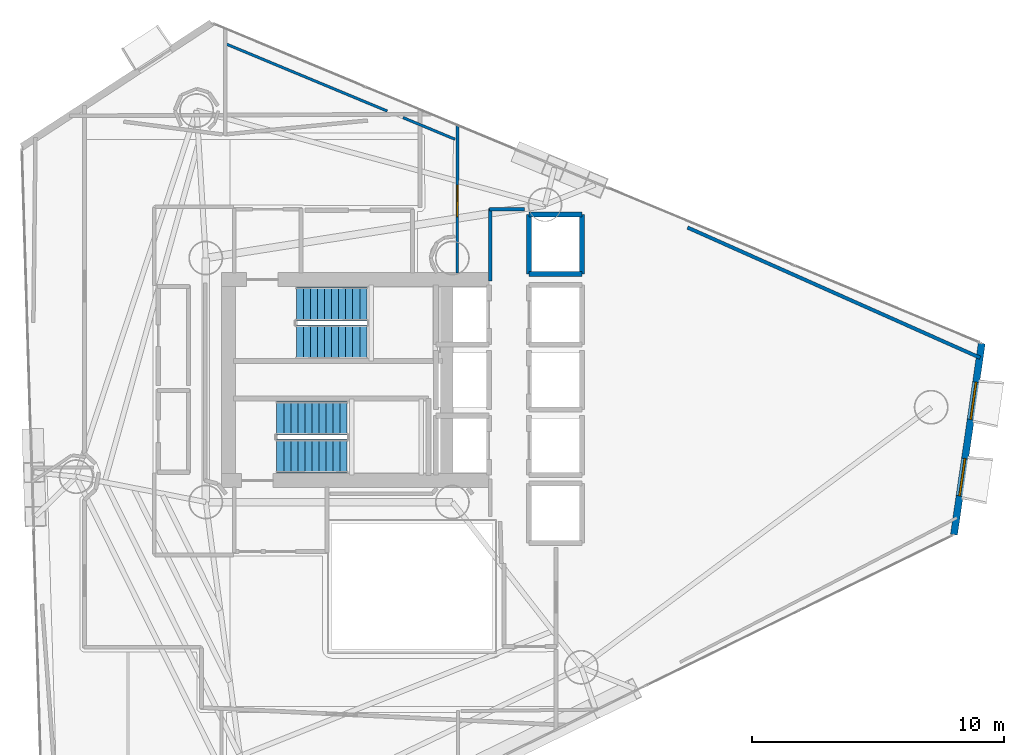
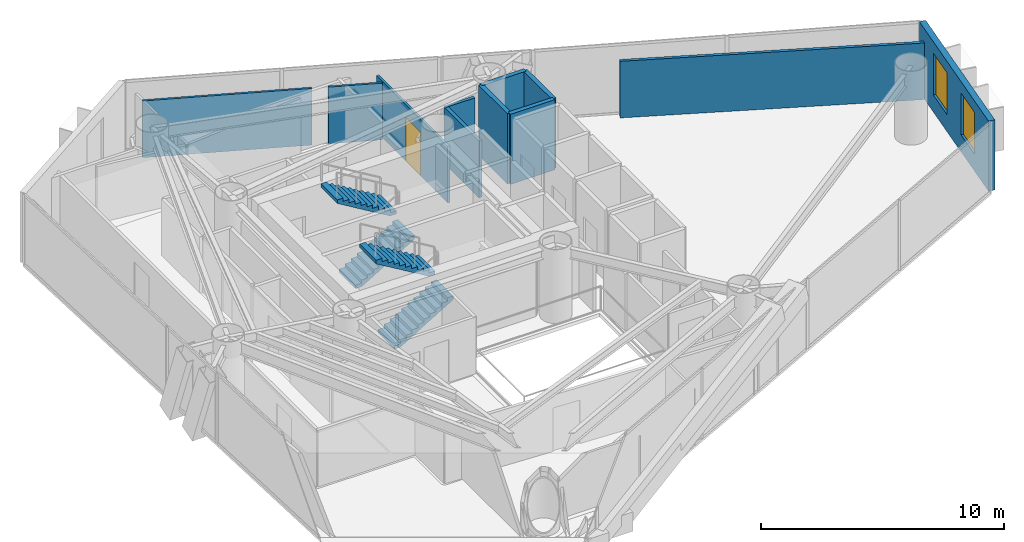
# One storey, part 20 of 22: 11 walls, 4 stair flights, 2 windows, 1 door, 3 openings, 2 elements without a shape of their own.
"""IFC4 building model written with IfcOpenShell, lengths in metres."""

from ifc_helpers import new_model, si_unit, direction, frame, frame_2d, origin, place, context, subcontext, project, spatial, polyline, rectangle, outline, extrude, material, layer, layer_set, type_object, element, fill, aggregate, save


model = new_model("IFC4")

# Units and contexts
model_context = context("Model", 3, precision=1e-05, world=origin(), true_north=direction((0.0, 1.0)))
body_context = subcontext(model_context, "Body", "Model", "MODEL_VIEW")
ifc_project = project(units=[si_unit("LENGTHUNIT", "METRE"), si_unit("AREAUNIT", "SQUARE_METRE"), si_unit("VOLUMEUNIT", "CUBIC_METRE"), si_unit("PLANEANGLEUNIT", "RADIAN"), si_unit("MASSUNIT", "GRAM", prefix="KILO")], contexts=[model_context])

# Site, building, storey
site_placement = place(None, origin())
site = spatial("IfcSite", under=ifc_project, at=site_placement, CompositionType="ELEMENT")
building_placement = place(site_placement, origin())
building = spatial("IfcBuilding", under=site, at=building_placement, Name="Qianvela Tower", CompositionType="ELEMENT")
storey_placement = place(building_placement, frame((0.0, 0.0, 155.0)))
storey = spatial("IfcBuildingStorey", under=building, at=storey_placement, Name="L39", CompositionType="ELEMENT", Elevation=155.0)

# Wall, openings, windows
ifc_material_1 = material(Name="Terracotta Cladding on Concrete C40", Category="masonry")
ifc_layer_1 = layer(ifc_material_1, 0.280029296875)
ifc_layer_set_1 = layer_set([ifc_layer_1], Name="Terracotta Cladding on Concrete C40")
wall_type_1 = type_object("IfcWallType", Name="TERRACOTTA-WALL-280", PredefinedType="SOLIDWALL", material=ifc_layer_set_1)
wall_1_placement = place(storey_placement, frame((58.3408203125, 22.55419921875, 0.0), z_axis=(0.0, 0.0, 1.0), x_axis=(0.143708360634, 0.989620082195, 0.0)))
wall_1 = element("IfcWall", 1, at=wall_1_placement, inside=storey, type_object=wall_type_1, Name="L39 Terracotta Chamfer Facet Wall 1", PredefinedType="SOLIDWALL", context=body_context, shape_type="SweptSolid", body=[
    extrude(rectangle(XDim=7.6806640625, YDim=0.280029296875, at=frame_2d((3.84033203125, 0.0))), origin(), (0.0, 0.0, 1.0), 3.52001953125),
])
opening_1_placement = place(wall_1_placement, frame((1.55419921875, 0.0, 0.85009765625)))
opening_1 = element("IfcOpeningElement", 2, at=opening_1_placement, cuts=wall_1, Name="Opening W-02", PredefinedType="OPENING", context=body_context, shape_type="SweptSolid", body=[
    extrude(rectangle(XDim=1.5, YDim=2.10009765625, at=frame_2d((0.75, 1.050048828125))), frame((0.0, 0.14990234375, 0.0), z_axis=(0.0, -1.0, 0.0), x_axis=(1.0, 0.0, 0.0)), (0.0, 0.0, 1.0), 0.300048828125),
])
opening_2_placement = place(wall_1_placement, frame((4.626220703125, 0.0, 0.85009765625)))
opening_2 = element("IfcOpeningElement", 3, at=opening_2_placement, cuts=wall_1, Name="Opening W-02", PredefinedType="OPENING", context=body_context, shape_type="SweptSolid", body=[
    extrude(rectangle(XDim=1.5, YDim=2.10009765625, at=frame_2d((0.75, 1.050048828125))), frame((0.0, 0.14990234375, 0.0), z_axis=(0.0, -1.0, 0.0), x_axis=(1.0, 0.0, 0.0)), (0.0, 0.0, 1.0), 0.300048828125),
])
ifc_material_2 = material(Name="Thermally Broken Aluminium and Low-E Glass", Category="aluminium")
window_type = type_object("IfcWindowType", Name="WIN-TC-1500x2100", PartitioningType="DOUBLE_PANEL_VERTICAL", PredefinedType="WINDOW", material=ifc_material_2)
window_1_placement = place(opening_1_placement, origin())
window_1 = element("IfcWindow", 4, at=window_1_placement, inside=storey, type_object=window_type, Name="L39 Chamfer Facet Window 1.1", OverallHeight=2.10009765625, OverallWidth=1.5, PartitioningType="SINGLE_PANEL", PredefinedType="WINDOW", context=body_context, shape_type="SweptSolid", body=[
    extrude(rectangle(XDim=1.5, YDim=2.10009765625, at=frame_2d((0.75, 1.050048828125))), frame((0.0, 0.030029296875, 0.0), z_axis=(0.0, -1.0, 0.0), x_axis=(1.0, 0.0, 0.0)), (0.0, 0.0, 1.0), 0.06005859375),
])
fill(opening_1, window_1)
window_2_placement = place(opening_2_placement, origin())
window_2 = element("IfcWindow", 5, at=window_2_placement, inside=storey, type_object=window_type, Name="L39 Chamfer Facet Window 1.2", OverallHeight=2.10009765625, OverallWidth=1.5, PartitioningType="SINGLE_PANEL", PredefinedType="WINDOW", context=body_context, shape_type="SweptSolid", body=[
    extrude(rectangle(XDim=1.5, YDim=2.10009765625, at=frame_2d((0.75, 1.050048828125))), frame((0.0, 0.030029296875, 0.0), z_axis=(0.0, -1.0, 0.0), x_axis=(1.0, 0.0, 0.0)), (0.0, 0.0, 1.0), 0.06005859375),
])
fill(opening_2, window_2)

# Walls
ifc_material_3 = material(Name="Fire-Rated Acoustic Gypsum Board")
ifc_layer_2 = layer(ifc_material_3, 0.14990234375)
ifc_layer_set_2 = layer_set([ifc_layer_2], Name="Fire-Rated Acoustic Gypsum Board")
wall_type_2 = type_object("IfcWallType", Name="WT-CORR-150", PredefinedType="PARTITIONING", material=ifc_layer_set_2)
wall_2_placement = place(storey_placement, frame((39.910888671875, 32.639892578125, 0.0), z_axis=(0.0, 0.0, 1.0), x_axis=(0.0, 1.0, 0.0)))
element("IfcWall", 6, at=wall_2_placement, inside=storey, type_object=wall_type_2, Name="L39 Partition 12", PredefinedType="PARTITIONING", context=body_context, shape_type="SweptSolid", body=[
    extrude(rectangle(XDim=2.880126953125, YDim=0.14990234375, at=frame_2d((1.43994140625, 0.0))), origin(), (0.0, 0.0, 1.0), 2.840087890625),
])
wall_3_placement = place(storey_placement, frame((39.8798828125, 35.489013671875, 0.0), z_axis=(0.0, 0.0, 1.0), x_axis=(1.0, 0.0, 0.0)))
element("IfcWall", 7, at=wall_3_placement, inside=storey, type_object=wall_type_2, Name="L39 Partition 13", PredefinedType="PARTITIONING", context=body_context, shape_type="SweptSolid", body=[
    extrude(rectangle(XDim=1.3828125, YDim=0.14990234375, at=frame_2d((0.69140625, 0.0))), origin(), (0.0, 0.0, 1.0), 2.840087890625),
])

# Wall, opening, door
ifc_material_4 = material(Name="Lightweight Gypsum Room Partition")
ifc_layer_3 = layer(ifc_material_4, 0.10498046875)
ifc_layer_set_3 = layer_set([ifc_layer_3], Name="Lightweight Gypsum Room Partition")
wall_type_3 = type_object("IfcWallType", Name="WT-PART-105", PredefinedType="PARTITIONING", material=ifc_layer_set_3)
wall_4_placement = place(storey_placement, frame((38.59375, 32.9580078125, 0.0), z_axis=(0.0, 0.0, 1.0), x_axis=(0.002446602671, 0.999997007063, 0.0)))
wall_4 = element("IfcWall", 8, at=wall_4_placement, inside=storey, type_object=wall_type_3, Name="L39 Partition 94", PredefinedType="PARTITIONING", context=body_context, shape_type="SweptSolid", body=[
    extrude(rectangle(XDim=5.887451171875, YDim=0.10498046875, at=frame_2d((2.94384765625, 0.0))), origin(), (0.0, 0.0, 1.0), 2.840087890625),
])
opening_3_placement = place(wall_4_placement, frame((2.234619140625, 0.0, 0.0)))
opening_3 = element("IfcOpeningElement", 9, at=opening_3_placement, cuts=wall_4, Name="Opening D-LG1", PredefinedType="OPENING", context=body_context, shape_type="SweptSolid", body=[
    extrude(rectangle(XDim=1.25, YDim=2.199951171875, at=frame_2d((0.625, 1.10009765625))), frame((0.0, 0.0625, 0.0), z_axis=(0.0, -1.0, 0.0), x_axis=(1.0, 0.0, 0.0)), (0.0, 0.0, 1.0), 0.125),
])
ifc_material_5 = material(Name="Anodised Aluminium Acoustic Glass Door", Category="aluminium")
door_type = type_object("IfcDoorType", Name="DT-LOUNGE-1250", OperationType="NOTDEFINED", PredefinedType="DOOR", material=ifc_material_5)
door_placement = place(opening_3_placement, origin())
door = element("IfcDoor", 10, at=door_placement, inside=storey, type_object=door_type, Name="L39 Door Quiet Reading Study L39-04 to Media Practice Cinema L39-03", OperationType="SINGLE_SWING_LEFT", OverallHeight=2.199951171875, OverallWidth=1.25, PredefinedType="DOOR", context=body_context, shape_type="SweptSolid", body=[
    extrude(rectangle(XDim=1.25, YDim=2.199951171875, at=frame_2d((0.625, 1.10009765625))), frame((0.0, 0.02490234375, 0.0), z_axis=(0.0, -1.0, 0.0), x_axis=(1.0, 0.0, 0.0)), (0.0, 0.0, 1.0), 0.050048828125),
])
fill(opening_3, door)

# Walls
wall_5_placement = place(storey_placement, frame((29.330078125, 42.08935546875, 0.0), z_axis=(0.0, 0.0, 1.0), x_axis=(0.923257907731, -0.384180733265, 0.0)))
element("IfcWall", 11, at=wall_5_placement, inside=storey, type_object=wall_type_3, Name="L39 Partition 112", PredefinedType="PARTITIONING", context=body_context, shape_type="SweptSolid", body=[
    extrude(rectangle(XDim=7.020263671875, YDim=0.10498046875, at=frame_2d((3.51025390625, 0.0))), origin(), (0.0, 0.0, 1.0), 2.840087890625),
])
wall_6_placement = place(storey_placement, frame((36.44140625, 39.13037109375, 0.0), z_axis=(0.0, 0.0, 1.0), x_axis=(0.923215709741, -0.384282127202, 0.0)))
element("IfcWall", 12, at=wall_6_placement, inside=storey, type_object=wall_type_3, Name="L39 Partition 112 trim 1", PredefinedType="PARTITIONING", context=body_context, shape_type="SweptSolid", body=[
    extrude(rectangle(XDim=2.237060546875, YDim=0.10498046875, at=frame_2d((1.11865234375, 0.0))), origin(), (0.0, 0.0, 1.0), 2.840087890625),
])
ifc_material_6 = material(Name="Acoustic Double Gypsum Stud Partition")
ifc_layer_4 = layer(ifc_material_6, 0.139892578125)
ifc_layer_set_4 = layer_set([ifc_layer_4], Name="Acoustic Double Gypsum Stud Partition")
wall_type_4 = type_object("IfcWallType", Name="WT-ROOM-140", PredefinedType="PARTITIONING", material=ifc_layer_set_4)
wall_7_placement = place(storey_placement, frame((47.7509765625, 34.760986328125, 0.0), z_axis=(0.0, 0.0, 1.0), x_axis=(0.913601061289, -0.406611732261, 0.0)))
element("IfcWall", 13, at=wall_7_placement, inside=storey, type_object=wall_type_4, Name="L39 Partition 95 seg 2", PredefinedType="PARTITIONING", context=body_context, shape_type="SweptSolid", body=[
    extrude(rectangle(XDim=12.730224609375, YDim=0.139892578125, at=frame_2d((6.365234375, 0.0))), origin(), (0.0, 0.0, 1.0), 2.840087890625),
])
ifc_material_7 = material(Name="Concrete C50", Category="concrete")
ifc_layer_5 = layer(ifc_material_7, 0.199951171875)
ifc_layer_set_5 = layer_set([ifc_layer_5], Name="Concrete C50")
wall_type_5 = type_object("IfcWallType", Name="WT-SHAFT-200", PredefinedType="SOLIDWALL", material=ifc_layer_set_5)
for number, where, z_axis, x_axis, name in (
    (14, (43.550048828125, 32.919921875, 0.0), (0.0, 0.0, 1.0), (0.0, 1.0, 0.0), "L39 Lift PL-H3 E Shaft Wall"),
    (15, (41.449951171875, 32.919921875, 0.0), (0.0, 0.0, 1.0), (0.0, 1.0, 0.0), "L39 Lift PL-H3 W Shaft Wall"),
):
    element("IfcWall", number, at=place(storey_placement, frame(where, z_axis=z_axis, x_axis=x_axis)), inside=storey, type_object=wall_type_5, Name=name, PredefinedType="SOLIDWALL", context=body_context, shape_type="SweptSolid", body=[
        extrude(rectangle(XDim=2.360107421875, YDim=0.199951171875, at=frame_2d((1.18017578125, 0.0))), origin(), (0.0, 0.0, 1.0), 3.52001953125),
    ])
for number, where, z_axis, x_axis, name in (
    (16, (41.449951171875, 35.280029296875, 0.0), (0.0, 0.0, 1.0), (1.0, 0.0, 0.0), "L39 Lift PL-H3 N Shaft Wall"),
    (17, (41.449951171875, 32.919921875, 0.0), (0.0, 0.0, 1.0), (1.0, 0.0, 0.0), "L39 Lift PL-H3 S Shaft Wall"),
):
    element("IfcWall", number, at=place(storey_placement, frame(where, z_axis=z_axis, x_axis=x_axis)), inside=storey, type_object=wall_type_5, Name=name, PredefinedType="SOLIDWALL", context=body_context, shape_type="SweptSolid", body=[
        extrude(rectangle(XDim=2.10009765625, YDim=0.199951171875, at=frame_2d((1.050048828125, 0.0))), origin(), (0.0, 0.0, 1.0), 3.52001953125),
    ])

# Stair, stair flights
ifc_material_8 = material(Name="Concrete C40", Category="concrete")
stair_type = type_object("IfcStairType", Name="ST-DOGLEG-1350-R168-N22", PredefinedType="HALF_TURN_STAIR", material=ifc_material_8)
stair_1_placement = place(storey_placement, origin())
stair_1 = element("IfcStair", 18, at=stair_1_placement, inside=storey, type_object=stair_type, Name="L39 Smoke-Proof Core Stair ST-1", PredefinedType="HALF_TURN_STAIR")
ifc_material_9 = material(Name="Concrete C40", Category="concrete")
stair_flight_type = type_object("IfcStairFlightType", Name="STF-STRAIGHT-R168-P11", PredefinedType="STRAIGHT", material=ifc_material_9)
stair_flight_1_placement = place(storey_placement, frame((32.199951171875, 30.215087890625, 0.0), z_axis=(0.0, 0.0, 1.0), x_axis=(1.0, 0.0, 0.0)))
stair_flight_1 = element("IfcStairFlight", 19, at=stair_flight_1_placement, type_object=stair_flight_type, Name="ST-1 flight 1", NumberOfRisers=11, NumberOfTreads=10, PredefinedType="STRAIGHT", RiserHeight=0.168181818, TreadLength=0.28, context=body_context, shape_type="SweptSolid", body=[
    extrude(outline(polyline([(0.0, 0.0), (0.0, 0.168212890625), (0.280029296875, 0.168212890625), (0.280029296875, 0.33642578125), (0.56005859375, 0.33642578125), (0.56005859375, 0.504638671875), (0.840087890625, 0.504638671875), (0.840087890625, 0.672607421875), (1.1201171875, 0.672607421875), (1.1201171875, 0.8408203125), (1.39990234375, 0.8408203125), (1.39990234375, 1.009033203125), (1.679931640625, 1.009033203125), (1.679931640625, 1.17724609375), (1.9599609375, 1.17724609375), (1.9599609375, 1.345458984375), (2.239990234375, 1.345458984375), (2.239990234375, 1.513671875), (2.52001953125, 1.513671875), (2.52001953125, 1.681884765625), (2.800048828125, 1.681884765625), (2.800048828125, 1.85009765625), (2.800048828125, 1.5068359375), (0.291015625, 0.0), (0.0, 0.0)])), frame((0.0, 0.675048828125, 0.0), z_axis=(0.0, -1.0, 0.0), x_axis=(1.0, 0.0, 0.0)), (0.0, 0.0, 1.0), 1.35009765625),
])
stair_flight_2_placement = place(storey_placement, frame((35.0, 31.72509765625, 1.85009765625), z_axis=(0.0, 0.0, 1.0), x_axis=(-1.0, 0.0, 0.0)))
stair_flight_2 = element("IfcStairFlight", 20, at=stair_flight_2_placement, type_object=stair_flight_type, Name="ST-1 flight 2", NumberOfRisers=11, NumberOfTreads=10, PredefinedType="STRAIGHT", RiserHeight=0.168181818, TreadLength=0.28, context=body_context, shape_type="SweptSolid", body=[
    extrude(outline(polyline([(0.0, 0.0), (0.0, 0.168212890625), (0.280029296875, 0.168212890625), (0.280029296875, 0.33642578125), (0.56005859375, 0.33642578125), (0.56005859375, 0.504638671875), (0.840087890625, 0.504638671875), (0.840087890625, 0.672607421875), (1.1201171875, 0.672607421875), (1.1201171875, 0.8408203125), (1.39990234375, 0.8408203125), (1.39990234375, 1.009033203125), (1.679931640625, 1.009033203125), (1.679931640625, 1.17724609375), (1.9599609375, 1.17724609375), (1.9599609375, 1.345458984375), (2.239990234375, 1.345458984375), (2.239990234375, 1.513671875), (2.52001953125, 1.513671875), (2.52001953125, 1.681884765625), (2.800048828125, 1.681884765625), (2.800048828125, 1.85009765625), (2.800048828125, 1.5068359375), (0.291015625, 0.0), (0.0, 0.0)])), frame((0.0, 0.675048828125, 0.0), z_axis=(0.0, -1.0, 0.0), x_axis=(1.0, 0.0, 0.0)), (0.0, 0.0, 1.0), 1.35009765625),
])
aggregate(stair_1, [stair_flight_1, stair_flight_2])

stair_2_placement = place(storey_placement, origin())
stair_2 = element("IfcStair", 21, at=stair_2_placement, inside=storey, type_object=stair_type, Name="L39 Smoke-Proof Core Stair ST-2", PredefinedType="HALF_TURN_STAIR")
stair_flight_3_placement = place(storey_placement, frame((31.419921875, 25.675048828125, 0.0), z_axis=(0.0, 0.0, 1.0), x_axis=(1.0, 0.0, 0.0)))
stair_flight_3 = element("IfcStairFlight", 22, at=stair_flight_3_placement, type_object=stair_flight_type, Name="ST-2 flight 1", NumberOfRisers=11, NumberOfTreads=10, PredefinedType="STRAIGHT", RiserHeight=0.168181818, TreadLength=0.28, context=body_context, shape_type="SweptSolid", body=[
    extrude(outline(polyline([(0.0, 0.0), (0.0, 0.168212890625), (0.280029296875, 0.168212890625), (0.280029296875, 0.33642578125), (0.56005859375, 0.33642578125), (0.56005859375, 0.504638671875), (0.840087890625, 0.504638671875), (0.840087890625, 0.672607421875), (1.1201171875, 0.672607421875), (1.1201171875, 0.8408203125), (1.39990234375, 0.8408203125), (1.39990234375, 1.009033203125), (1.679931640625, 1.009033203125), (1.679931640625, 1.17724609375), (1.9599609375, 1.17724609375), (1.9599609375, 1.345458984375), (2.239990234375, 1.345458984375), (2.239990234375, 1.513671875), (2.52001953125, 1.513671875), (2.52001953125, 1.681884765625), (2.800048828125, 1.681884765625), (2.800048828125, 1.85009765625), (2.800048828125, 1.5068359375), (0.291015625, 0.0), (0.0, 0.0)])), frame((0.0, 0.675048828125, 0.0), z_axis=(0.0, -1.0, 0.0), x_axis=(1.0, 0.0, 0.0)), (0.0, 0.0, 1.0), 1.35009765625),
])
stair_flight_4_placement = place(storey_placement, frame((34.219970703125, 27.18505859375, 1.85009765625), z_axis=(0.0, 0.0, 1.0), x_axis=(-1.0, 0.0, 0.0)))
stair_flight_4 = element("IfcStairFlight", 23, at=stair_flight_4_placement, type_object=stair_flight_type, Name="ST-2 flight 2", NumberOfRisers=11, NumberOfTreads=10, PredefinedType="STRAIGHT", RiserHeight=0.168181818, TreadLength=0.28, context=body_context, shape_type="SweptSolid", body=[
    extrude(outline(polyline([(0.0, 0.0), (0.0, 0.168212890625), (0.280029296875, 0.168212890625), (0.280029296875, 0.33642578125), (0.56005859375, 0.33642578125), (0.56005859375, 0.504638671875), (0.840087890625, 0.504638671875), (0.840087890625, 0.672607421875), (1.1201171875, 0.672607421875), (1.1201171875, 0.8408203125), (1.39990234375, 0.8408203125), (1.39990234375, 1.009033203125), (1.679931640625, 1.009033203125), (1.679931640625, 1.17724609375), (1.9599609375, 1.17724609375), (1.9599609375, 1.345458984375), (2.239990234375, 1.345458984375), (2.239990234375, 1.513671875), (2.52001953125, 1.513671875), (2.52001953125, 1.681884765625), (2.800048828125, 1.681884765625), (2.800048828125, 1.85009765625), (2.800048828125, 1.5068359375), (0.291015625, 0.0), (0.0, 0.0)])), frame((0.0, 0.675048828125, 0.0), z_axis=(0.0, -1.0, 0.0), x_axis=(1.0, 0.0, 0.0)), (0.0, 0.0, 1.0), 1.35009765625),
])
aggregate(stair_2, [stair_flight_3, stair_flight_4])

save(model, "model.ifc")
